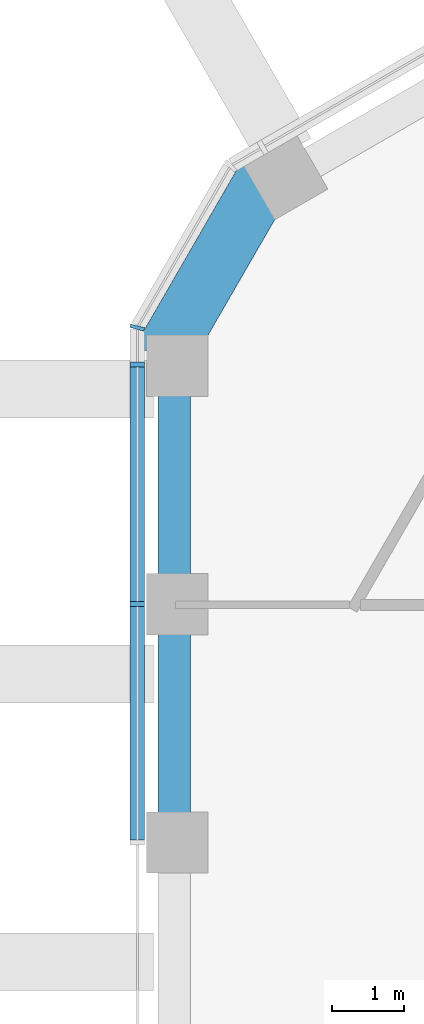
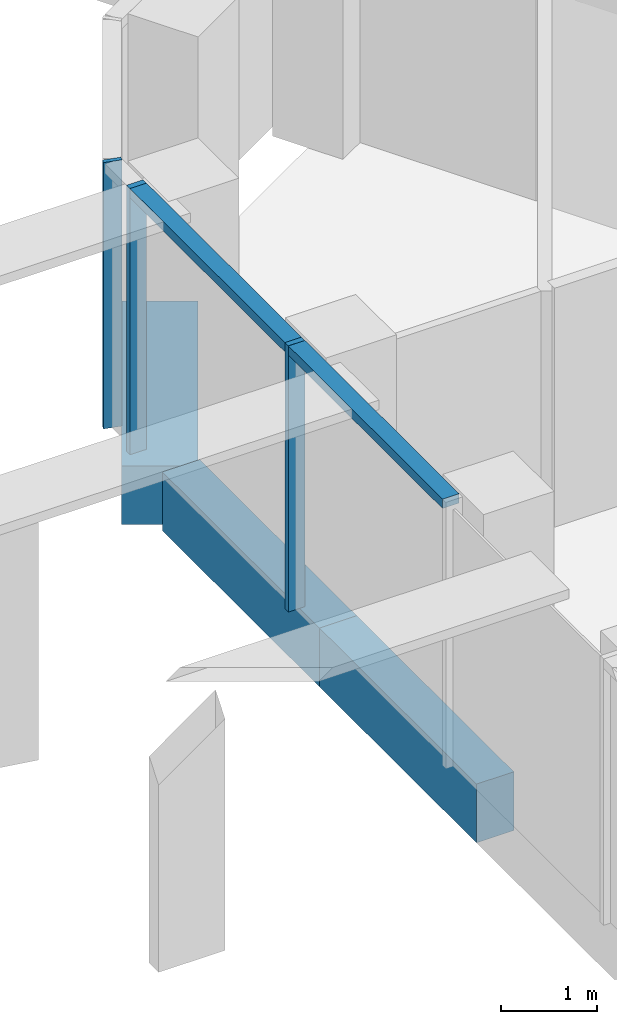
# One storey, part 3 of 18: 4 members, 3 beams, 2 elements without a shape of their own.
"""IFC4 building model written with IfcOpenShell, lengths in metres."""

from ifc_helpers import new_model, si_unit, direction, frame, origin, origin_2d, place, context, subcontext, project, spatial, rectangle, extrude, material, layer, layer_set, material_profile, profile_set, type_object, element, aggregate, save


model = new_model("IFC4")

# Units and contexts
model_context = context("Model", 3, precision=1e-05, world=origin(), true_north=direction((0.0, 1.0)))
body_context = subcontext(model_context, "Body", "Model", "MODEL_VIEW")
ifc_project = project(units=[si_unit("LENGTHUNIT", "METRE"), si_unit("AREAUNIT", "SQUARE_METRE"), si_unit("VOLUMEUNIT", "CUBIC_METRE"), si_unit("PLANEANGLEUNIT", "RADIAN"), si_unit("MASSUNIT", "GRAM", prefix="KILO")], contexts=[model_context])

# Site, building, storey
site_placement = place(None, origin())
site = spatial("IfcSite", under=ifc_project, at=site_placement, CompositionType="ELEMENT")
building_placement = place(site_placement, origin())
building = spatial("IfcBuilding", under=site, at=building_placement, Name="Ayvan Gate Tower", CompositionType="ELEMENT")
storey_placement = place(building_placement, frame((0.0, 0.0, 239.300048828125)))
storey = spatial("IfcBuildingStorey", under=building, at=storey_placement, Name="L64", CompositionType="ELEMENT", Elevation=239.300048828125)

# Beams
ifc_material_1 = material(Name="Concrete C40/50", Category="concrete")
ifc_material_profile_1 = material_profile(ifc_material_1, rectangle(XDim=0.800048828125, YDim=0.75, at=origin_2d()), Name="RC 800x750")
ifc_profile_set_1 = profile_set([ifc_material_profile_1], Name="Concrete C40/50")
beam_type_1 = type_object("IfcBeamType", Name="Corner spandrel beam RC 800x750 C40/50", PredefinedType="BEAM", material=ifc_profile_set_1)
beam_1_placement = place(storey_placement, frame((-15.234619140625, 10.92431640625, -0.72509765625), z_axis=(-0.499990139034, -0.866031096941, 0.0), x_axis=(0.866031096941, -0.499990139034, 0.0)))
element("IfcBeam", 1, at=beam_1_placement, inside=storey, type_object=beam_type_1, Name="SB-L64-18", PredefinedType="BEAM", context=body_context, shape_type="SweptSolid", body=[
    extrude(rectangle(XDim=0.800048828125, YDim=0.75, at=origin_2d()), origin(), (0.0, 0.0, 1.0), 3.0),
])
ifc_material_profile_2 = material_profile(ifc_material_1, rectangle(XDim=0.449951171875, YDim=0.75, at=origin_2d()), Name="RC 450x750")
ifc_profile_set_2 = profile_set([ifc_material_profile_2], Name="Concrete C40/50")
beam_type_2 = type_object("IfcBeamType", Name="Spandrel beam RC 450x750 C40/50", PredefinedType="BEAM", material=ifc_profile_set_2)
beam_2_placement = place(storey_placement, frame((-16.5439453125, 8.21630859375, -0.72509765625), z_axis=(0.0, -1.0, 0.0), x_axis=(1.0, 0.0, 0.0)))
element("IfcBeam", 2, at=beam_2_placement, inside=storey, type_object=beam_type_2, Name="SB-L64-19", PredefinedType="BEAM", context=body_context, shape_type="SweptSolid", body=[
    extrude(rectangle(XDim=0.449951171875, YDim=0.75, at=origin_2d()), origin(), (0.0, 0.0, 1.0), 3.28662109375),
])
beam_3_placement = place(storey_placement, frame((-16.5439453125, 4.9296875, -0.72509765625), z_axis=(0.0, -1.0, 0.0), x_axis=(1.0, 0.0, 0.0)))
element("IfcBeam", 3, at=beam_3_placement, inside=storey, type_object=beam_type_2, Name="SB-L64-20", PredefinedType="BEAM", context=body_context, shape_type="SweptSolid", body=[
    extrude(rectangle(XDim=0.449951171875, YDim=0.75, at=origin_2d()), origin(), (0.0, 0.0, 1.0), 3.286376953125),
])

# Curtain wall, members
ifc_material_2 = material(Name="Bronze anodised aluminium", Category="aluminium")
ifc_layer_1 = layer(ifc_material_2, 0.199951171875)
ifc_layer_set_1 = layer_set([ifc_layer_1], Name="Bronze anodised aluminium")
curtain_wall_type_1 = type_object("IfcCurtainWallType", Name="Stick curtain wall CW-2", PredefinedType="NOTDEFINED", material=ifc_layer_set_1)
curtain_wall_1_placement = place(storey_placement, origin())
curtain_wall_1 = element("IfcCurtainWall", 4, at=curtain_wall_1_placement, inside=storey, type_object=curtain_wall_type_1, Name="Stick curtain wall CW-2 L64", PredefinedType="NOTDEFINED")
ifc_material_profile_3 = material_profile(ifc_material_2, rectangle(XDim=0.199951171875, YDim=0.070068359375, at=origin_2d()), Name="Stick curtain wall CW-2 mullion 200 x 70")
ifc_profile_set_3 = profile_set([ifc_material_profile_3], Name="Bronze anodised aluminium")
member_type_1 = type_object("IfcMemberType", Name="Stick curtain wall CW-2 mullion 200 x 70", PredefinedType="MULLION", material=ifc_profile_set_3)
member_1_placement = place(storey_placement, frame((-17.056396484375, 8.257568359375, 0.0), z_axis=(0.0, 0.0, 1.0), x_axis=(-1.0, 0.0, 0.0)))
member_1 = element("IfcMember", 5, at=member_1_placement, type_object=member_type_1, Name="CW-2 mullion 1", PredefinedType="MULLION", context=body_context, shape_type="SweptSolid", body=[
    extrude(rectangle(XDim=0.199951171875, YDim=0.070068359375, at=origin_2d()), origin(), (0.0, 0.0, 1.0), 3.39990234375),
])
member_2_placement = place(storey_placement, frame((-17.056396484375, 4.944580078125, 0.0), z_axis=(0.0, 0.0, 1.0), x_axis=(-1.0, 0.0, 0.0)))
member_2 = element("IfcMember", 6, at=member_2_placement, type_object=member_type_1, Name="CW-2 mullion 2", PredefinedType="MULLION", context=body_context, shape_type="SweptSolid", body=[
    extrude(rectangle(XDim=0.199951171875, YDim=0.070068359375, at=origin_2d()), origin(), (0.0, 0.0, 1.0), 3.39990234375),
])
ifc_material_profile_4 = material_profile(ifc_material_2, rectangle(XDim=0.199951171875, YDim=0.1201171875, at=origin_2d()), Name="Stick curtain wall CW-2 transom 200 x 120")
ifc_profile_set_4 = profile_set([ifc_material_profile_4], Name="Bronze anodised aluminium")
member_type_2 = type_object("IfcMemberType", Name="Stick curtain wall CW-2 transom 200 x 120", PredefinedType="USERDEFINED", material=ifc_profile_set_4)
member_3_placement = place(storey_placement, frame((-17.056396484375, 8.257568359375, 3.33984375), z_axis=(0.0, -1.0, 0.0), x_axis=(1.0, 0.0, 0.0)))
member_3 = element("IfcMember", 7, at=member_3_placement, type_object=member_type_2, Name="CW-2 transom 1", ObjectType="TRANSOM", PredefinedType="USERDEFINED", context=body_context, shape_type="SweptSolid", body=[
    extrude(rectangle(XDim=0.199951171875, YDim=0.1201171875, at=origin_2d()), origin(), (0.0, 0.0, 1.0), 6.574951171875),
])
aggregate(curtain_wall_1, [member_1, member_2, member_3])

# Curtain wall, member
ifc_layer_2 = layer(ifc_material_2, 0.199951171875)
ifc_layer_set_2 = layer_set([ifc_layer_2], Name="Bronze anodised aluminium")
curtain_wall_type_2 = type_object("IfcCurtainWallType", Name="Stick curtain wall CW-6", PredefinedType="NOTDEFINED", material=ifc_layer_set_2)
curtain_wall_2_placement = place(storey_placement, origin())
curtain_wall_2 = element("IfcCurtainWall", 8, at=curtain_wall_2_placement, inside=storey, type_object=curtain_wall_type_2, Name="Stick curtain wall CW-6 L64", PredefinedType="NOTDEFINED")
ifc_material_profile_5 = material_profile(ifc_material_2, rectangle(XDim=0.199951171875, YDim=0.050048828125, at=origin_2d()), Name="Stick curtain wall CW-6 mullion 200 x 50")
ifc_profile_set_5 = profile_set([ifc_material_profile_5], Name="Bronze anodised aluminium")
member_type_3 = type_object("IfcMemberType", Name="Stick curtain wall CW-6 mullion 200 x 50", PredefinedType="MULLION", material=ifc_profile_set_5)
member_4_placement = place(storey_placement, frame((-17.056396484375, 8.767578125, 0.0), z_axis=(0.0, 0.0, 1.0), x_axis=(-0.965925826289, 0.258819045103, 0.0)))
member_4 = element("IfcMember", 9, at=member_4_placement, type_object=member_type_3, Name="CW-6 mullion 3", PredefinedType="MULLION", context=body_context, shape_type="SweptSolid", body=[
    extrude(rectangle(XDim=0.199951171875, YDim=0.050048828125, at=origin_2d()), origin(), (0.0, 0.0, 1.0), 3.39990234375),
])
aggregate(curtain_wall_2, [member_4])

save(model, "model.ifc")
